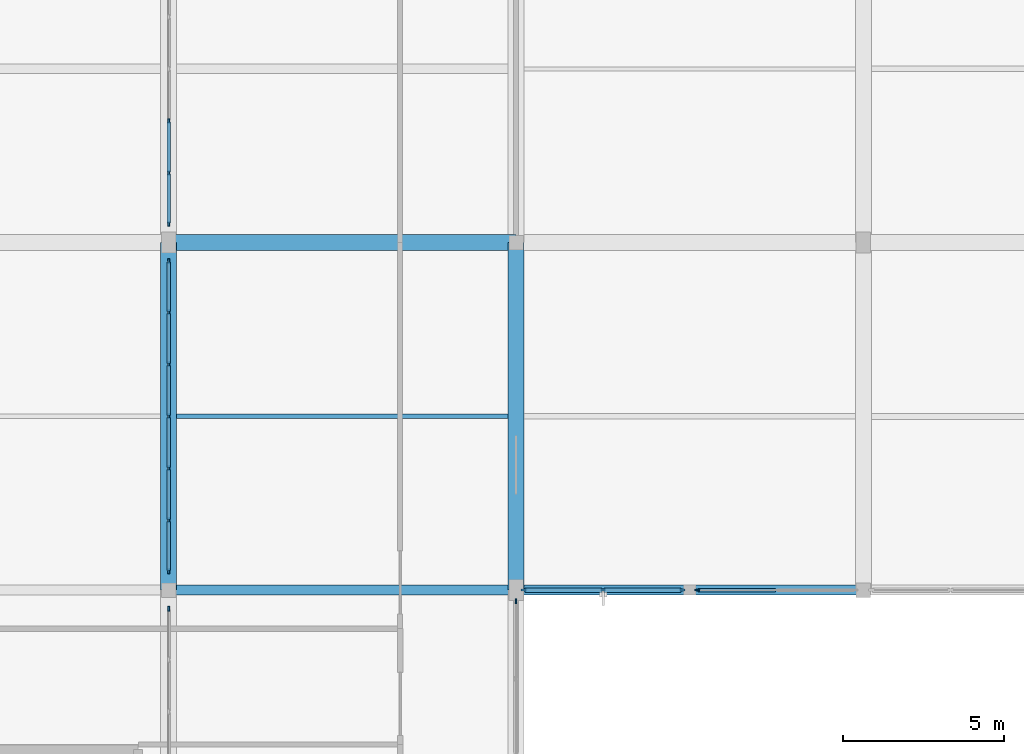
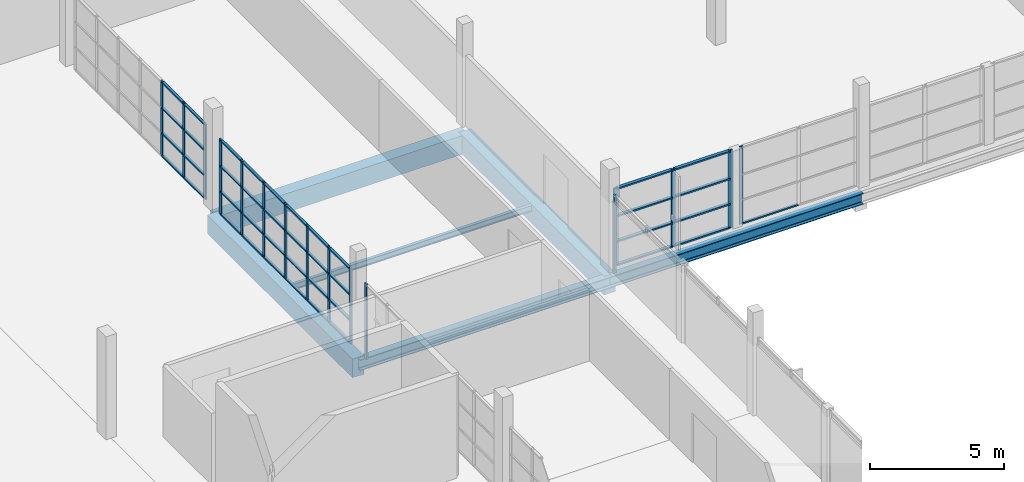
# One storey, part 34 of 142: 57 members, 6 beams, 6 elements without a shape of their own.
"""IFC4 building model written with IfcOpenShell, lengths in metres."""

from ifc_helpers import new_model, si_unit, direction, frame, origin, origin_2d, place, context, subcontext, project, spatial, rectangle, i_section, extrude, material, material_profile, profile_set, type_object, element, aggregate, save


model = new_model("IFC4")

# Units and contexts
model_context = context("Model", 3, precision=1e-05, world=origin(), true_north=direction((0.0, 1.0)))
body_context = subcontext(model_context, "Body", "Model", "MODEL_VIEW")
ifc_project = project(units=[si_unit("LENGTHUNIT", "METRE"), si_unit("AREAUNIT", "SQUARE_METRE"), si_unit("VOLUMEUNIT", "CUBIC_METRE"), si_unit("PLANEANGLEUNIT", "RADIAN"), si_unit("MASSUNIT", "GRAM", prefix="KILO")], contexts=[model_context])

# Site, building, storey
site_placement = place(None, origin())
site = spatial("IfcSite", under=ifc_project, at=site_placement, CompositionType="ELEMENT")
building_placement = place(site_placement, origin())
building = spatial("IfcBuilding", under=site, at=building_placement, Name="Zwinboog Wholesale Market", CompositionType="ELEMENT")
storey_placement = place(building_placement, frame((0.0, 0.0, 5.39990234375)))
storey = spatial("IfcBuildingStorey", under=building, at=storey_placement, Name="L01", CompositionType="ELEMENT", Elevation=5.39990234375)

# Beams
ifc_material_1 = material(Name="Precast concrete C45/55", Category="concrete")
ifc_material_profile_1 = material_profile(ifc_material_1, rectangle(XDim=0.5, YDim=0.85009765625, at=origin_2d()), Name="PC 500x850")
ifc_profile_set_1 = profile_set([ifc_material_profile_1], Name="Precast concrete C45/55")
beam_type_1 = type_object("IfcBeamType", Name="BT-03", PredefinedType="BEAM", material=ifc_profile_set_1)
for number, where, z_axis, x_axis, name in (
    (1, (32.39990234375, 75.60009765625, -0.7568359375), (1.0, 0.0, 0.0), (0.0, 1.0, 0.0), "BG-03 (BMG-L01-0324-0756-0502)"),
    (2, (32.39990234375, 64.800048828125, -0.72998046875), (0.0, 1.0, 0.0), (-1.0, 0.0, 0.0), "BG-03 (BMG-L01-0324-0648-0641)"),
    (3, (43.199951171875, 64.800048828125, -0.7568359375), (0.0, 1.0, 0.0), (-1.0, 0.0, 0.0), "BG-03 (BMG-L01-0432-0648-0653)"),
):
    element("IfcBeam", number, at=place(storey_placement, frame(where, z_axis=z_axis, x_axis=x_axis)), inside=storey, type_object=beam_type_1, Name=name, PredefinedType="BEAM", context=body_context, shape_type="SweptSolid", body=[
        extrude(rectangle(XDim=0.5, YDim=0.85009765625, at=origin_2d()), origin(), (0.0, 0.0, 1.0), 10.800048828125),
    ])
ifc_material_2 = material(Name="Steel S355", Category="steel")
ifc_material_profile_2 = material_profile(ifc_material_2, i_section(OverallWidth=0.300048828125, OverallDepth=0.5, WebThickness=0.014404296875, FlangeThickness=0.028076171875, FilletRadius=0.027099609375, at=origin_2d()), Name="HEB 500")
ifc_profile_set_2 = profile_set([ifc_material_profile_2], Name="Steel S355")
beam_type_2 = type_object("IfcBeamType", Name="BT-14", PredefinedType="BEAM", material=ifc_profile_set_2)
for number, where, z_axis, x_axis, name in (
    (4, (32.39990234375, 64.800048828125, -0.581787109375), (1.0, 0.0, 0.0), (0.0, 1.0, 0.0), "SB-01 (BMG-L01-0324-0648-0492)"),
    (5, (43.199951171875, 64.800048828125, -0.581787109375), (1.0, 0.0, 0.0), (0.0, 1.0, 0.0), "SB-01 (BMG-L01-0432-0648-0493)"),
):
    element("IfcBeam", number, at=place(storey_placement, frame(where, z_axis=z_axis, x_axis=x_axis)), inside=storey, type_object=beam_type_2, Name=name, PredefinedType="BEAM", context=body_context, shape_type="SweptSolid", body=[
        extrude(i_section(OverallWidth=0.300048828125, OverallDepth=0.5, WebThickness=0.014404296875, FlangeThickness=0.028076171875, FilletRadius=0.027099609375, at=origin_2d()), origin(), (0.0, 0.0, 1.0), 10.800048828125),
    ])
ifc_material_profile_3 = material_profile(ifc_material_2, i_section(OverallWidth=0.135009765625, OverallDepth=0.27001953125, WebThickness=0.006591796875, FlangeThickness=0.01025390625, FilletRadius=0.014892578125, at=origin_2d()), Name="IPE 270")
ifc_profile_set_3 = profile_set([ifc_material_profile_3], Name="Steel S355")
beam_type_3 = type_object("IfcBeamType", Name="BT-21", PredefinedType="JOIST", material=ifc_profile_set_3)
beam_placement = place(storey_placement, frame((32.64990234375, 70.199951171875, -0.466796875), z_axis=(1.0, 0.0, 0.0), x_axis=(0.0, 1.0, 0.0)))
element("IfcBeam", 6, at=beam_placement, inside=storey, type_object=beam_type_3, Name="SJ-04 (BMG-L01-0326-0702-0805)", PredefinedType="JOIST", context=body_context, shape_type="SweptSolid", body=[
    extrude(i_section(OverallWidth=0.135009765625, OverallDepth=0.27001953125, WebThickness=0.006591796875, FlangeThickness=0.01025390625, FilletRadius=0.014892578125, at=origin_2d()), origin(), (0.0, 0.0, 1.0), 10.300048828125),
])

# Curtain wall, members
ifc_material_3 = material(Name="Aluminium thermally broken curtain wall", Category="aluminium")
curtain_wall_type_1 = type_object("IfcCurtainWallType", Name="CWT-HALL-24", PredefinedType="USERDEFINED", material=ifc_material_3)
curtain_wall_1_placement = place(storey_placement, origin())
curtain_wall_1 = element("IfcCurtainWall", 7, at=curtain_wall_1_placement, inside=storey, type_object=curtain_wall_type_1, Name="CW-03 (CW-L01-081)", ObjectType="UNITIZED_CURTAIN_WALL", PredefinedType="USERDEFINED")
ifc_material_4 = material(Name="Aluminium EN AW-6060", Category="aluminium")
ifc_material_profile_4 = material_profile(ifc_material_4, rectangle(XDim=0.06494140625, YDim=0.179931640625, at=origin_2d()), Name="AL 65x180")
ifc_profile_set_4 = profile_set([ifc_material_profile_4], Name="Aluminium EN AW-6060")
member_type_1 = type_object("IfcMemberType", Name="CWM-65x180", PredefinedType="MULLION", material=ifc_profile_set_4)
member_1_placement = place(storey_placement, frame((43.452392578125, 64.800048828125, 0.0), z_axis=(0.0, 0.0, 1.0), x_axis=(0.0, 1.0, 0.0)))
member_1 = element("IfcMember", 8, at=member_1_placement, type_object=member_type_1, Name="CW-03 mullion 1", PredefinedType="MULLION", context=body_context, shape_type="SweptSolid", body=[
    extrude(rectangle(XDim=0.06494140625, YDim=0.179931640625, at=origin_2d()), origin(), (0.0, 0.0, 1.0), 3.530029296875),
])
member_2_placement = place(storey_placement, frame((45.909912109375, 64.800048828125, 0.0), z_axis=(0.0, 0.0, 1.0), x_axis=(0.0, 1.0, 0.0)))
member_2 = element("IfcMember", 9, at=member_2_placement, type_object=member_type_1, Name="CW-03 mullion 2", PredefinedType="MULLION", context=body_context, shape_type="SweptSolid", body=[
    extrude(rectangle(XDim=0.06494140625, YDim=0.179931640625, at=origin_2d()), origin(), (0.0, 0.0, 1.0), 3.530029296875),
])
member_3_placement = place(storey_placement, frame((48.367431640625, 64.800048828125, 0.0), z_axis=(0.0, 0.0, 1.0), x_axis=(0.0, 1.0, 0.0)))
member_3 = element("IfcMember", 10, at=member_3_placement, type_object=member_type_1, Name="CW-03 mullion 3", PredefinedType="MULLION", context=body_context, shape_type="SweptSolid", body=[
    extrude(rectangle(XDim=0.06494140625, YDim=0.179931640625, at=origin_2d()), origin(), (0.0, 0.0, 1.0), 3.530029296875),
])

# Curtain wall, member
curtain_wall_type_2 = type_object("IfcCurtainWallType", Name="CWT-STALL-20", PredefinedType="USERDEFINED", material=ifc_material_3)
curtain_wall_2_placement = place(storey_placement, origin())
curtain_wall_2 = element("IfcCurtainWall", 11, at=curtain_wall_2_placement, inside=storey, type_object=curtain_wall_type_2, Name="CW-02 (CW-L01-080)", ObjectType="STOREFRONT_GLAZING", PredefinedType="USERDEFINED")
ifc_material_profile_5 = material_profile(ifc_material_4, rectangle(XDim=0.06005859375, YDim=0.14990234375, at=origin_2d()), Name="AL 60x150")
ifc_profile_set_5 = profile_set([ifc_material_profile_5], Name="Aluminium EN AW-6060")
member_type_2 = type_object("IfcMemberType", Name="CWM-60x150", PredefinedType="MULLION", material=ifc_profile_set_5)
member_4_placement = place(storey_placement, frame((43.199951171875, 64.449951171875, 0.0), z_axis=(0.0, 0.0, 1.0), x_axis=(-1.0, 0.0, 0.0)))
member_4 = element("IfcMember", 12, at=member_4_placement, type_object=member_type_2, Name="CW-02 mullion 3", PredefinedType="MULLION", context=body_context, shape_type="SweptSolid", body=[
    extrude(rectangle(XDim=0.06005859375, YDim=0.14990234375, at=origin_2d()), origin(), (0.0, 0.0, 1.0), 3.530029296875),
])
aggregate(curtain_wall_2, [member_4])

curtain_wall_type_3 = type_object("IfcCurtainWallType", Name="CWT-GAL-16", PredefinedType="USERDEFINED", material=ifc_material_3)
curtain_wall_3_placement = place(storey_placement, origin())
curtain_wall_3 = element("IfcCurtainWall", 13, at=curtain_wall_3_placement, inside=storey, type_object=curtain_wall_type_3, Name="CW-04 (CW-L01-082)", ObjectType="UNITIZED_CURTAIN_WALL", PredefinedType="USERDEFINED")
member_5_placement = place(storey_placement, frame((48.830078125, 64.800048828125, 0.0), z_axis=(0.0, 0.0, 1.0), x_axis=(0.0, 1.0, 0.0)))
member_5 = element("IfcMember", 14, at=member_5_placement, type_object=member_type_2, Name="CW-04 mullion 1", PredefinedType="MULLION", context=body_context, shape_type="SweptSolid", body=[
    extrude(rectangle(XDim=0.06005859375, YDim=0.14990234375, at=origin_2d()), origin(), (0.0, 0.0, 1.0), 3.530029296875),
])

# Member
ifc_material_profile_6 = material_profile(ifc_material_4, rectangle(XDim=0.139892578125, YDim=0.06494140625, at=origin_2d()), Name="AL 65x140")
ifc_profile_set_6 = profile_set([ifc_material_profile_6], Name="Aluminium EN AW-6060")
member_type_3 = type_object("IfcMemberType", Name="CWT-65x140", PredefinedType="USERDEFINED", material=ifc_profile_set_6)
member_6_placement = place(storey_placement, frame((43.485107421875, 64.800048828125, 0.03271484375), z_axis=(1.0, 0.0, 0.0), x_axis=(0.0, 1.0, 0.0)))
member_6 = element("IfcMember", 15, at=member_6_placement, type_object=member_type_3, Name="CW-03 transom 1.1", ObjectType="TRANSOM", PredefinedType="USERDEFINED", context=body_context, shape_type="SweptSolid", body=[
    extrude(rectangle(XDim=0.139892578125, YDim=0.06494140625, at=origin_2d()), origin(), (0.0, 0.0, 1.0), 2.392333984375),
])

member_7_placement = place(storey_placement, frame((43.485107421875, 64.800048828125, 1.10009765625), z_axis=(1.0, 0.0, 0.0), x_axis=(0.0, 1.0, 0.0)))
member_7 = element("IfcMember", 16, at=member_7_placement, type_object=member_type_3, Name="CW-03 transom 1.2", ObjectType="TRANSOM", PredefinedType="USERDEFINED", context=body_context, shape_type="SweptSolid", body=[
    extrude(rectangle(XDim=0.139892578125, YDim=0.06494140625, at=origin_2d()), origin(), (0.0, 0.0, 1.0), 2.392333984375),
])

member_8_placement = place(storey_placement, frame((43.485107421875, 64.800048828125, 2.25), z_axis=(1.0, 0.0, 0.0), x_axis=(0.0, 1.0, 0.0)))
member_8 = element("IfcMember", 17, at=member_8_placement, type_object=member_type_3, Name="CW-03 transom 1.3", ObjectType="TRANSOM", PredefinedType="USERDEFINED", context=body_context, shape_type="SweptSolid", body=[
    extrude(rectangle(XDim=0.139892578125, YDim=0.06494140625, at=origin_2d()), origin(), (0.0, 0.0, 1.0), 2.392333984375),
])

member_9_placement = place(storey_placement, frame((43.485107421875, 64.800048828125, 3.49755859375), z_axis=(1.0, 0.0, 0.0), x_axis=(0.0, 1.0, 0.0)))
member_9 = element("IfcMember", 18, at=member_9_placement, type_object=member_type_3, Name="CW-03 transom 1.4", ObjectType="TRANSOM", PredefinedType="USERDEFINED", context=body_context, shape_type="SweptSolid", body=[
    extrude(rectangle(XDim=0.139892578125, YDim=0.06494140625, at=origin_2d()), origin(), (0.0, 0.0, 1.0), 2.392333984375),
])

member_10_placement = place(storey_placement, frame((45.9423828125, 64.800048828125, 0.03271484375), z_axis=(1.0, 0.0, 0.0), x_axis=(0.0, 1.0, 0.0)))
member_10 = element("IfcMember", 19, at=member_10_placement, type_object=member_type_3, Name="CW-03 transom 2.1", ObjectType="TRANSOM", PredefinedType="USERDEFINED", context=body_context, shape_type="SweptSolid", body=[
    extrude(rectangle(XDim=0.139892578125, YDim=0.06494140625, at=origin_2d()), origin(), (0.0, 0.0, 1.0), 2.392578125),
])

member_11_placement = place(storey_placement, frame((45.9423828125, 64.800048828125, 1.10009765625), z_axis=(1.0, 0.0, 0.0), x_axis=(0.0, 1.0, 0.0)))
member_11 = element("IfcMember", 20, at=member_11_placement, type_object=member_type_3, Name="CW-03 transom 2.2", ObjectType="TRANSOM", PredefinedType="USERDEFINED", context=body_context, shape_type="SweptSolid", body=[
    extrude(rectangle(XDim=0.139892578125, YDim=0.06494140625, at=origin_2d()), origin(), (0.0, 0.0, 1.0), 2.392578125),
])

member_12_placement = place(storey_placement, frame((45.9423828125, 64.800048828125, 2.25), z_axis=(1.0, 0.0, 0.0), x_axis=(0.0, 1.0, 0.0)))
member_12 = element("IfcMember", 21, at=member_12_placement, type_object=member_type_3, Name="CW-03 transom 2.3", ObjectType="TRANSOM", PredefinedType="USERDEFINED", context=body_context, shape_type="SweptSolid", body=[
    extrude(rectangle(XDim=0.139892578125, YDim=0.06494140625, at=origin_2d()), origin(), (0.0, 0.0, 1.0), 2.392578125),
])

member_13_placement = place(storey_placement, frame((45.9423828125, 64.800048828125, 3.49755859375), z_axis=(1.0, 0.0, 0.0), x_axis=(0.0, 1.0, 0.0)))
member_13 = element("IfcMember", 22, at=member_13_placement, type_object=member_type_3, Name="CW-03 transom 2.4", ObjectType="TRANSOM", PredefinedType="USERDEFINED", context=body_context, shape_type="SweptSolid", body=[
    extrude(rectangle(XDim=0.139892578125, YDim=0.06494140625, at=origin_2d()), origin(), (0.0, 0.0, 1.0), 2.392578125),
])

aggregate(curtain_wall_1, [member_1, member_2, member_3, member_6, member_7, member_8, member_9, member_10, member_11, member_12, member_13])

ifc_material_profile_7 = material_profile(ifc_material_4, rectangle(XDim=0.110107421875, YDim=0.06005859375, at=origin_2d()), Name="AL 60x110")
ifc_profile_set_7 = profile_set([ifc_material_profile_7], Name="Aluminium EN AW-6060")
member_type_4 = type_object("IfcMemberType", Name="CWT-60x110", PredefinedType="USERDEFINED", material=ifc_profile_set_7)
member_14_placement = place(storey_placement, frame((48.860107421875, 64.800048828125, 0.030029296875), z_axis=(1.0, 0.0, 0.0), x_axis=(0.0, 1.0, 0.0)))
member_14 = element("IfcMember", 23, at=member_14_placement, type_object=member_type_4, Name="CW-04 transom 1.1", ObjectType="TRANSOM", PredefinedType="USERDEFINED", context=body_context, shape_type="SweptSolid", body=[
    extrude(rectangle(XDim=0.110107421875, YDim=0.06005859375, at=origin_2d()), origin(), (0.0, 0.0, 1.0), 2.39990234375),
])

aggregate(curtain_wall_3, [member_5, member_14])

# Curtain wall, member
curtain_wall_type_4 = type_object("IfcCurtainWallType", Name="CWT-INT-STALL", PredefinedType="USERDEFINED", material=ifc_material_3)
curtain_wall_4_placement = place(storey_placement, origin())
curtain_wall_4 = element("IfcCurtainWall", 24, at=curtain_wall_4_placement, inside=storey, type_object=curtain_wall_type_4, Name="CW-07 (CW-STL-268)", ObjectType="STOREFRONT_GLAZING", PredefinedType="USERDEFINED")
ifc_material_profile_8 = material_profile(ifc_material_4, rectangle(XDim=0.06005859375, YDim=0.14990234375, at=origin_2d()), Name="AL 60x150")
ifc_profile_set_8 = profile_set([ifc_material_profile_8], Name="Aluminium EN AW-6060")
member_type_5 = type_object("IfcMemberType", Name="CWM-INT-60x120", PredefinedType="MULLION", material=ifc_profile_set_8)
member_15_placement = place(storey_placement, frame((32.39990234375, 64.219970703125, 0.0), z_axis=(0.0, 0.0, 1.0), x_axis=(-1.0, 0.0, 0.0)))
member_15 = element("IfcMember", 25, at=member_15_placement, type_object=member_type_5, Name="CW-07 mullion 7", PredefinedType="MULLION", context=body_context, shape_type="SweptSolid", body=[
    extrude(rectangle(XDim=0.06005859375, YDim=0.14990234375, at=origin_2d()), origin(), (0.0, 0.0, 1.0), 3.400146484375),
])
aggregate(curtain_wall_4, [member_15])

# Curtain wall, members
curtain_wall_5_placement = place(storey_placement, origin())
curtain_wall_5 = element("IfcCurtainWall", 26, at=curtain_wall_5_placement, inside=storey, type_object=curtain_wall_type_4, Name="CW-07 (CW-STL-269)", ObjectType="STOREFRONT_GLAZING", PredefinedType="USERDEFINED")
member_16_placement = place(storey_placement, frame((32.39990234375, 65.3798828125, 0.0), z_axis=(0.0, 0.0, 1.0), x_axis=(-1.0, 0.0, 0.0)))
member_16 = element("IfcMember", 27, at=member_16_placement, type_object=member_type_5, Name="CW-07 mullion 1", PredefinedType="MULLION", context=body_context, shape_type="SweptSolid", body=[
    extrude(rectangle(XDim=0.06005859375, YDim=0.14990234375, at=origin_2d()), origin(), (0.0, 0.0, 1.0), 3.400146484375),
])
member_17_placement = place(storey_placement, frame((32.39990234375, 66.966552734375, 0.0), z_axis=(0.0, 0.0, 1.0), x_axis=(-1.0, 0.0, 0.0)))
member_17 = element("IfcMember", 28, at=member_17_placement, type_object=member_type_5, Name="CW-07 mullion 2", PredefinedType="MULLION", context=body_context, shape_type="SweptSolid", body=[
    extrude(rectangle(XDim=0.06005859375, YDim=0.14990234375, at=origin_2d()), origin(), (0.0, 0.0, 1.0), 3.400146484375),
])
member_18_placement = place(storey_placement, frame((32.39990234375, 68.583251953125, 0.0), z_axis=(0.0, 0.0, 1.0), x_axis=(-1.0, 0.0, 0.0)))
member_18 = element("IfcMember", 29, at=member_18_placement, type_object=member_type_5, Name="CW-07 mullion 3", PredefinedType="MULLION", context=body_context, shape_type="SweptSolid", body=[
    extrude(rectangle(XDim=0.06005859375, YDim=0.14990234375, at=origin_2d()), origin(), (0.0, 0.0, 1.0), 3.400146484375),
])
member_19_placement = place(storey_placement, frame((32.39990234375, 70.199951171875, 0.0), z_axis=(0.0, 0.0, 1.0), x_axis=(-1.0, 0.0, 0.0)))
member_19 = element("IfcMember", 30, at=member_19_placement, type_object=member_type_5, Name="CW-07 mullion 4", PredefinedType="MULLION", context=body_context, shape_type="SweptSolid", body=[
    extrude(rectangle(XDim=0.06005859375, YDim=0.14990234375, at=origin_2d()), origin(), (0.0, 0.0, 1.0), 3.400146484375),
])
member_20_placement = place(storey_placement, frame((32.39990234375, 71.816650390625, 0.0), z_axis=(0.0, 0.0, 1.0), x_axis=(-1.0, 0.0, 0.0)))
member_20 = element("IfcMember", 31, at=member_20_placement, type_object=member_type_5, Name="CW-07 mullion 5", PredefinedType="MULLION", context=body_context, shape_type="SweptSolid", body=[
    extrude(rectangle(XDim=0.06005859375, YDim=0.14990234375, at=origin_2d()), origin(), (0.0, 0.0, 1.0), 3.400146484375),
])
member_21_placement = place(storey_placement, frame((32.39990234375, 73.433349609375, 0.0), z_axis=(0.0, 0.0, 1.0), x_axis=(-1.0, 0.0, 0.0)))
member_21 = element("IfcMember", 32, at=member_21_placement, type_object=member_type_5, Name="CW-07 mullion 6", PredefinedType="MULLION", context=body_context, shape_type="SweptSolid", body=[
    extrude(rectangle(XDim=0.06005859375, YDim=0.14990234375, at=origin_2d()), origin(), (0.0, 0.0, 1.0), 3.400146484375),
])
member_22_placement = place(storey_placement, frame((32.39990234375, 75.02001953125, 0.0), z_axis=(0.0, 0.0, 1.0), x_axis=(-1.0, 0.0, 0.0)))
member_22 = element("IfcMember", 33, at=member_22_placement, type_object=member_type_5, Name="CW-07 mullion 7", PredefinedType="MULLION", context=body_context, shape_type="SweptSolid", body=[
    extrude(rectangle(XDim=0.06005859375, YDim=0.14990234375, at=origin_2d()), origin(), (0.0, 0.0, 1.0), 3.400146484375),
])

curtain_wall_6_placement = place(storey_placement, origin())
curtain_wall_6 = element("IfcCurtainWall", 34, at=curtain_wall_6_placement, inside=storey, type_object=curtain_wall_type_4, Name="CW-07 (CW-STL-270)", ObjectType="STOREFRONT_GLAZING", PredefinedType="USERDEFINED")
member_23_placement = place(storey_placement, frame((32.39990234375, 76.179931640625, 0.0), z_axis=(0.0, 0.0, 1.0), x_axis=(-1.0, 0.0, 0.0)))
member_23 = element("IfcMember", 35, at=member_23_placement, type_object=member_type_5, Name="CW-07 mullion 1", PredefinedType="MULLION", context=body_context, shape_type="SweptSolid", body=[
    extrude(rectangle(XDim=0.06005859375, YDim=0.14990234375, at=origin_2d()), origin(), (0.0, 0.0, 1.0), 3.400146484375),
])
member_24_placement = place(storey_placement, frame((32.39990234375, 77.7666015625, 0.0), z_axis=(0.0, 0.0, 1.0), x_axis=(-1.0, 0.0, 0.0)))
member_24 = element("IfcMember", 36, at=member_24_placement, type_object=member_type_5, Name="CW-07 mullion 2", PredefinedType="MULLION", context=body_context, shape_type="SweptSolid", body=[
    extrude(rectangle(XDim=0.06005859375, YDim=0.14990234375, at=origin_2d()), origin(), (0.0, 0.0, 1.0), 3.400146484375),
])
member_25_placement = place(storey_placement, frame((32.39990234375, 79.38330078125, 0.0), z_axis=(0.0, 0.0, 1.0), x_axis=(-1.0, 0.0, 0.0)))
member_25 = element("IfcMember", 37, at=member_25_placement, type_object=member_type_5, Name="CW-07 mullion 3", PredefinedType="MULLION", context=body_context, shape_type="SweptSolid", body=[
    extrude(rectangle(XDim=0.06005859375, YDim=0.14990234375, at=origin_2d()), origin(), (0.0, 0.0, 1.0), 3.400146484375),
])

# Member
ifc_material_profile_9 = material_profile(ifc_material_4, rectangle(XDim=0.110107421875, YDim=0.06005859375, at=origin_2d()), Name="AL 60x110")
ifc_profile_set_9 = profile_set([ifc_material_profile_9], Name="Aluminium EN AW-6060")
member_type_6 = type_object("IfcMemberType", Name="CWT-INT-60x100", PredefinedType="USERDEFINED", material=ifc_profile_set_9)
member_26_placement = place(storey_placement, frame((32.39990234375, 65.409912109375, 0.030029296875), z_axis=(0.0, 1.0, 0.0), x_axis=(-1.0, 0.0, 0.0)))
member_26 = element("IfcMember", 38, at=member_26_placement, type_object=member_type_6, Name="CW-07 transom 1.1", ObjectType="TRANSOM", PredefinedType="USERDEFINED", context=body_context, shape_type="SweptSolid", body=[
    extrude(rectangle(XDim=0.110107421875, YDim=0.06005859375, at=origin_2d()), origin(), (0.0, 0.0, 1.0), 1.52685546875),
])

member_27_placement = place(storey_placement, frame((32.39990234375, 65.409912109375, 1.050048828125), z_axis=(0.0, 1.0, 0.0), x_axis=(-1.0, 0.0, 0.0)))
member_27 = element("IfcMember", 39, at=member_27_placement, type_object=member_type_6, Name="CW-07 transom 1.2", ObjectType="TRANSOM", PredefinedType="USERDEFINED", context=body_context, shape_type="SweptSolid", body=[
    extrude(rectangle(XDim=0.110107421875, YDim=0.06005859375, at=origin_2d()), origin(), (0.0, 0.0, 1.0), 1.52685546875),
])

member_28_placement = place(storey_placement, frame((32.39990234375, 65.409912109375, 2.2001953125), z_axis=(0.0, 1.0, 0.0), x_axis=(-1.0, 0.0, 0.0)))
member_28 = element("IfcMember", 40, at=member_28_placement, type_object=member_type_6, Name="CW-07 transom 1.3", ObjectType="TRANSOM", PredefinedType="USERDEFINED", context=body_context, shape_type="SweptSolid", body=[
    extrude(rectangle(XDim=0.110107421875, YDim=0.06005859375, at=origin_2d()), origin(), (0.0, 0.0, 1.0), 1.52685546875),
])

member_29_placement = place(storey_placement, frame((32.39990234375, 65.409912109375, 3.3701171875), z_axis=(0.0, 1.0, 0.0), x_axis=(-1.0, 0.0, 0.0)))
member_29 = element("IfcMember", 41, at=member_29_placement, type_object=member_type_6, Name="CW-07 transom 1.4", ObjectType="TRANSOM", PredefinedType="USERDEFINED", context=body_context, shape_type="SweptSolid", body=[
    extrude(rectangle(XDim=0.110107421875, YDim=0.06005859375, at=origin_2d()), origin(), (0.0, 0.0, 1.0), 1.52685546875),
])

member_30_placement = place(storey_placement, frame((32.39990234375, 66.99658203125, 0.030029296875), z_axis=(0.0, 1.0, 0.0), x_axis=(-1.0, 0.0, 0.0)))
member_30 = element("IfcMember", 42, at=member_30_placement, type_object=member_type_6, Name="CW-07 transom 2.1", ObjectType="TRANSOM", PredefinedType="USERDEFINED", context=body_context, shape_type="SweptSolid", body=[
    extrude(rectangle(XDim=0.110107421875, YDim=0.06005859375, at=origin_2d()), origin(), (0.0, 0.0, 1.0), 1.556640625),
])

member_31_placement = place(storey_placement, frame((32.39990234375, 66.99658203125, 1.050048828125), z_axis=(0.0, 1.0, 0.0), x_axis=(-1.0, 0.0, 0.0)))
member_31 = element("IfcMember", 43, at=member_31_placement, type_object=member_type_6, Name="CW-07 transom 2.2", ObjectType="TRANSOM", PredefinedType="USERDEFINED", context=body_context, shape_type="SweptSolid", body=[
    extrude(rectangle(XDim=0.110107421875, YDim=0.06005859375, at=origin_2d()), origin(), (0.0, 0.0, 1.0), 1.556640625),
])

member_32_placement = place(storey_placement, frame((32.39990234375, 66.99658203125, 2.2001953125), z_axis=(0.0, 1.0, 0.0), x_axis=(-1.0, 0.0, 0.0)))
member_32 = element("IfcMember", 44, at=member_32_placement, type_object=member_type_6, Name="CW-07 transom 2.3", ObjectType="TRANSOM", PredefinedType="USERDEFINED", context=body_context, shape_type="SweptSolid", body=[
    extrude(rectangle(XDim=0.110107421875, YDim=0.06005859375, at=origin_2d()), origin(), (0.0, 0.0, 1.0), 1.556640625),
])

member_33_placement = place(storey_placement, frame((32.39990234375, 66.99658203125, 3.3701171875), z_axis=(0.0, 1.0, 0.0), x_axis=(-1.0, 0.0, 0.0)))
member_33 = element("IfcMember", 45, at=member_33_placement, type_object=member_type_6, Name="CW-07 transom 2.4", ObjectType="TRANSOM", PredefinedType="USERDEFINED", context=body_context, shape_type="SweptSolid", body=[
    extrude(rectangle(XDim=0.110107421875, YDim=0.06005859375, at=origin_2d()), origin(), (0.0, 0.0, 1.0), 1.556640625),
])

member_34_placement = place(storey_placement, frame((32.39990234375, 68.61328125, 0.030029296875), z_axis=(0.0, 1.0, 0.0), x_axis=(-1.0, 0.0, 0.0)))
member_34 = element("IfcMember", 46, at=member_34_placement, type_object=member_type_6, Name="CW-07 transom 3.1", ObjectType="TRANSOM", PredefinedType="USERDEFINED", context=body_context, shape_type="SweptSolid", body=[
    extrude(rectangle(XDim=0.110107421875, YDim=0.06005859375, at=origin_2d()), origin(), (0.0, 0.0, 1.0), 1.556640625),
])

member_35_placement = place(storey_placement, frame((32.39990234375, 68.61328125, 1.050048828125), z_axis=(0.0, 1.0, 0.0), x_axis=(-1.0, 0.0, 0.0)))
member_35 = element("IfcMember", 47, at=member_35_placement, type_object=member_type_6, Name="CW-07 transom 3.2", ObjectType="TRANSOM", PredefinedType="USERDEFINED", context=body_context, shape_type="SweptSolid", body=[
    extrude(rectangle(XDim=0.110107421875, YDim=0.06005859375, at=origin_2d()), origin(), (0.0, 0.0, 1.0), 1.556640625),
])

member_36_placement = place(storey_placement, frame((32.39990234375, 68.61328125, 2.2001953125), z_axis=(0.0, 1.0, 0.0), x_axis=(-1.0, 0.0, 0.0)))
member_36 = element("IfcMember", 48, at=member_36_placement, type_object=member_type_6, Name="CW-07 transom 3.3", ObjectType="TRANSOM", PredefinedType="USERDEFINED", context=body_context, shape_type="SweptSolid", body=[
    extrude(rectangle(XDim=0.110107421875, YDim=0.06005859375, at=origin_2d()), origin(), (0.0, 0.0, 1.0), 1.556640625),
])

member_37_placement = place(storey_placement, frame((32.39990234375, 68.61328125, 3.3701171875), z_axis=(0.0, 1.0, 0.0), x_axis=(-1.0, 0.0, 0.0)))
member_37 = element("IfcMember", 49, at=member_37_placement, type_object=member_type_6, Name="CW-07 transom 3.4", ObjectType="TRANSOM", PredefinedType="USERDEFINED", context=body_context, shape_type="SweptSolid", body=[
    extrude(rectangle(XDim=0.110107421875, YDim=0.06005859375, at=origin_2d()), origin(), (0.0, 0.0, 1.0), 1.556640625),
])

member_38_placement = place(storey_placement, frame((32.39990234375, 70.22998046875, 0.030029296875), z_axis=(0.0, 1.0, 0.0), x_axis=(-1.0, 0.0, 0.0)))
member_38 = element("IfcMember", 50, at=member_38_placement, type_object=member_type_6, Name="CW-07 transom 4.1", ObjectType="TRANSOM", PredefinedType="USERDEFINED", context=body_context, shape_type="SweptSolid", body=[
    extrude(rectangle(XDim=0.110107421875, YDim=0.06005859375, at=origin_2d()), origin(), (0.0, 0.0, 1.0), 1.556640625),
])

member_39_placement = place(storey_placement, frame((32.39990234375, 70.22998046875, 1.050048828125), z_axis=(0.0, 1.0, 0.0), x_axis=(-1.0, 0.0, 0.0)))
member_39 = element("IfcMember", 51, at=member_39_placement, type_object=member_type_6, Name="CW-07 transom 4.2", ObjectType="TRANSOM", PredefinedType="USERDEFINED", context=body_context, shape_type="SweptSolid", body=[
    extrude(rectangle(XDim=0.110107421875, YDim=0.06005859375, at=origin_2d()), origin(), (0.0, 0.0, 1.0), 1.556640625),
])

member_40_placement = place(storey_placement, frame((32.39990234375, 70.22998046875, 2.2001953125), z_axis=(0.0, 1.0, 0.0), x_axis=(-1.0, 0.0, 0.0)))
member_40 = element("IfcMember", 52, at=member_40_placement, type_object=member_type_6, Name="CW-07 transom 4.3", ObjectType="TRANSOM", PredefinedType="USERDEFINED", context=body_context, shape_type="SweptSolid", body=[
    extrude(rectangle(XDim=0.110107421875, YDim=0.06005859375, at=origin_2d()), origin(), (0.0, 0.0, 1.0), 1.556640625),
])

member_41_placement = place(storey_placement, frame((32.39990234375, 70.22998046875, 3.3701171875), z_axis=(0.0, 1.0, 0.0), x_axis=(-1.0, 0.0, 0.0)))
member_41 = element("IfcMember", 53, at=member_41_placement, type_object=member_type_6, Name="CW-07 transom 4.4", ObjectType="TRANSOM", PredefinedType="USERDEFINED", context=body_context, shape_type="SweptSolid", body=[
    extrude(rectangle(XDim=0.110107421875, YDim=0.06005859375, at=origin_2d()), origin(), (0.0, 0.0, 1.0), 1.556640625),
])

member_42_placement = place(storey_placement, frame((32.39990234375, 71.8466796875, 0.030029296875), z_axis=(0.0, 1.0, 0.0), x_axis=(-1.0, 0.0, 0.0)))
member_42 = element("IfcMember", 54, at=member_42_placement, type_object=member_type_6, Name="CW-07 transom 5.1", ObjectType="TRANSOM", PredefinedType="USERDEFINED", context=body_context, shape_type="SweptSolid", body=[
    extrude(rectangle(XDim=0.110107421875, YDim=0.06005859375, at=origin_2d()), origin(), (0.0, 0.0, 1.0), 1.556640625),
])

member_43_placement = place(storey_placement, frame((32.39990234375, 71.8466796875, 1.050048828125), z_axis=(0.0, 1.0, 0.0), x_axis=(-1.0, 0.0, 0.0)))
member_43 = element("IfcMember", 55, at=member_43_placement, type_object=member_type_6, Name="CW-07 transom 5.2", ObjectType="TRANSOM", PredefinedType="USERDEFINED", context=body_context, shape_type="SweptSolid", body=[
    extrude(rectangle(XDim=0.110107421875, YDim=0.06005859375, at=origin_2d()), origin(), (0.0, 0.0, 1.0), 1.556640625),
])

member_44_placement = place(storey_placement, frame((32.39990234375, 71.8466796875, 2.2001953125), z_axis=(0.0, 1.0, 0.0), x_axis=(-1.0, 0.0, 0.0)))
member_44 = element("IfcMember", 56, at=member_44_placement, type_object=member_type_6, Name="CW-07 transom 5.3", ObjectType="TRANSOM", PredefinedType="USERDEFINED", context=body_context, shape_type="SweptSolid", body=[
    extrude(rectangle(XDim=0.110107421875, YDim=0.06005859375, at=origin_2d()), origin(), (0.0, 0.0, 1.0), 1.556640625),
])

member_45_placement = place(storey_placement, frame((32.39990234375, 71.8466796875, 3.3701171875), z_axis=(0.0, 1.0, 0.0), x_axis=(-1.0, 0.0, 0.0)))
member_45 = element("IfcMember", 57, at=member_45_placement, type_object=member_type_6, Name="CW-07 transom 5.4", ObjectType="TRANSOM", PredefinedType="USERDEFINED", context=body_context, shape_type="SweptSolid", body=[
    extrude(rectangle(XDim=0.110107421875, YDim=0.06005859375, at=origin_2d()), origin(), (0.0, 0.0, 1.0), 1.556640625),
])

member_46_placement = place(storey_placement, frame((32.39990234375, 73.46337890625, 0.030029296875), z_axis=(0.0, 1.0, 0.0), x_axis=(-1.0, 0.0, 0.0)))
member_46 = element("IfcMember", 58, at=member_46_placement, type_object=member_type_6, Name="CW-07 transom 6.1", ObjectType="TRANSOM", PredefinedType="USERDEFINED", context=body_context, shape_type="SweptSolid", body=[
    extrude(rectangle(XDim=0.110107421875, YDim=0.06005859375, at=origin_2d()), origin(), (0.0, 0.0, 1.0), 1.526611328125),
])

member_47_placement = place(storey_placement, frame((32.39990234375, 73.46337890625, 1.050048828125), z_axis=(0.0, 1.0, 0.0), x_axis=(-1.0, 0.0, 0.0)))
member_47 = element("IfcMember", 59, at=member_47_placement, type_object=member_type_6, Name="CW-07 transom 6.2", ObjectType="TRANSOM", PredefinedType="USERDEFINED", context=body_context, shape_type="SweptSolid", body=[
    extrude(rectangle(XDim=0.110107421875, YDim=0.06005859375, at=origin_2d()), origin(), (0.0, 0.0, 1.0), 1.526611328125),
])

member_48_placement = place(storey_placement, frame((32.39990234375, 73.46337890625, 2.2001953125), z_axis=(0.0, 1.0, 0.0), x_axis=(-1.0, 0.0, 0.0)))
member_48 = element("IfcMember", 60, at=member_48_placement, type_object=member_type_6, Name="CW-07 transom 6.3", ObjectType="TRANSOM", PredefinedType="USERDEFINED", context=body_context, shape_type="SweptSolid", body=[
    extrude(rectangle(XDim=0.110107421875, YDim=0.06005859375, at=origin_2d()), origin(), (0.0, 0.0, 1.0), 1.526611328125),
])

member_49_placement = place(storey_placement, frame((32.39990234375, 73.46337890625, 3.3701171875), z_axis=(0.0, 1.0, 0.0), x_axis=(-1.0, 0.0, 0.0)))
member_49 = element("IfcMember", 61, at=member_49_placement, type_object=member_type_6, Name="CW-07 transom 6.4", ObjectType="TRANSOM", PredefinedType="USERDEFINED", context=body_context, shape_type="SweptSolid", body=[
    extrude(rectangle(XDim=0.110107421875, YDim=0.06005859375, at=origin_2d()), origin(), (0.0, 0.0, 1.0), 1.526611328125),
])

aggregate(curtain_wall_5, [member_16, member_17, member_18, member_19, member_20, member_21, member_22, member_26, member_27, member_28, member_29, member_30, member_31, member_32, member_33, member_34, member_35, member_36, member_37, member_38, member_39, member_40, member_41, member_42, member_43, member_44, member_45, member_46, member_47, member_48, member_49])

member_50_placement = place(storey_placement, frame((32.39990234375, 76.2099609375, 0.030029296875), z_axis=(0.0, 1.0, 0.0), x_axis=(-1.0, 0.0, 0.0)))
member_50 = element("IfcMember", 62, at=member_50_placement, type_object=member_type_6, Name="CW-07 transom 1.1", ObjectType="TRANSOM", PredefinedType="USERDEFINED", context=body_context, shape_type="SweptSolid", body=[
    extrude(rectangle(XDim=0.110107421875, YDim=0.06005859375, at=origin_2d()), origin(), (0.0, 0.0, 1.0), 1.526611328125),
])

member_51_placement = place(storey_placement, frame((32.39990234375, 76.2099609375, 1.050048828125), z_axis=(0.0, 1.0, 0.0), x_axis=(-1.0, 0.0, 0.0)))
member_51 = element("IfcMember", 63, at=member_51_placement, type_object=member_type_6, Name="CW-07 transom 1.2", ObjectType="TRANSOM", PredefinedType="USERDEFINED", context=body_context, shape_type="SweptSolid", body=[
    extrude(rectangle(XDim=0.110107421875, YDim=0.06005859375, at=origin_2d()), origin(), (0.0, 0.0, 1.0), 1.526611328125),
])

member_52_placement = place(storey_placement, frame((32.39990234375, 76.2099609375, 2.2001953125), z_axis=(0.0, 1.0, 0.0), x_axis=(-1.0, 0.0, 0.0)))
member_52 = element("IfcMember", 64, at=member_52_placement, type_object=member_type_6, Name="CW-07 transom 1.3", ObjectType="TRANSOM", PredefinedType="USERDEFINED", context=body_context, shape_type="SweptSolid", body=[
    extrude(rectangle(XDim=0.110107421875, YDim=0.06005859375, at=origin_2d()), origin(), (0.0, 0.0, 1.0), 1.526611328125),
])

member_53_placement = place(storey_placement, frame((32.39990234375, 76.2099609375, 3.3701171875), z_axis=(0.0, 1.0, 0.0), x_axis=(-1.0, 0.0, 0.0)))
member_53 = element("IfcMember", 65, at=member_53_placement, type_object=member_type_6, Name="CW-07 transom 1.4", ObjectType="TRANSOM", PredefinedType="USERDEFINED", context=body_context, shape_type="SweptSolid", body=[
    extrude(rectangle(XDim=0.110107421875, YDim=0.06005859375, at=origin_2d()), origin(), (0.0, 0.0, 1.0), 1.526611328125),
])

member_54_placement = place(storey_placement, frame((32.39990234375, 77.796630859375, 0.030029296875), z_axis=(0.0, 1.0, 0.0), x_axis=(-1.0, 0.0, 0.0)))
member_54 = element("IfcMember", 66, at=member_54_placement, type_object=member_type_6, Name="CW-07 transom 2.1", ObjectType="TRANSOM", PredefinedType="USERDEFINED", context=body_context, shape_type="SweptSolid", body=[
    extrude(rectangle(XDim=0.110107421875, YDim=0.06005859375, at=origin_2d()), origin(), (0.0, 0.0, 1.0), 1.556640625),
])

member_55_placement = place(storey_placement, frame((32.39990234375, 77.796630859375, 1.050048828125), z_axis=(0.0, 1.0, 0.0), x_axis=(-1.0, 0.0, 0.0)))
member_55 = element("IfcMember", 67, at=member_55_placement, type_object=member_type_6, Name="CW-07 transom 2.2", ObjectType="TRANSOM", PredefinedType="USERDEFINED", context=body_context, shape_type="SweptSolid", body=[
    extrude(rectangle(XDim=0.110107421875, YDim=0.06005859375, at=origin_2d()), origin(), (0.0, 0.0, 1.0), 1.556640625),
])

member_56_placement = place(storey_placement, frame((32.39990234375, 77.796630859375, 2.2001953125), z_axis=(0.0, 1.0, 0.0), x_axis=(-1.0, 0.0, 0.0)))
member_56 = element("IfcMember", 68, at=member_56_placement, type_object=member_type_6, Name="CW-07 transom 2.3", ObjectType="TRANSOM", PredefinedType="USERDEFINED", context=body_context, shape_type="SweptSolid", body=[
    extrude(rectangle(XDim=0.110107421875, YDim=0.06005859375, at=origin_2d()), origin(), (0.0, 0.0, 1.0), 1.556640625),
])

member_57_placement = place(storey_placement, frame((32.39990234375, 77.796630859375, 3.3701171875), z_axis=(0.0, 1.0, 0.0), x_axis=(-1.0, 0.0, 0.0)))
member_57 = element("IfcMember", 69, at=member_57_placement, type_object=member_type_6, Name="CW-07 transom 2.4", ObjectType="TRANSOM", PredefinedType="USERDEFINED", context=body_context, shape_type="SweptSolid", body=[
    extrude(rectangle(XDim=0.110107421875, YDim=0.06005859375, at=origin_2d()), origin(), (0.0, 0.0, 1.0), 1.556640625),
])

aggregate(curtain_wall_6, [member_23, member_24, member_25, member_50, member_51, member_52, member_53, member_54, member_55, member_56, member_57])

save(model, "model.ifc")
